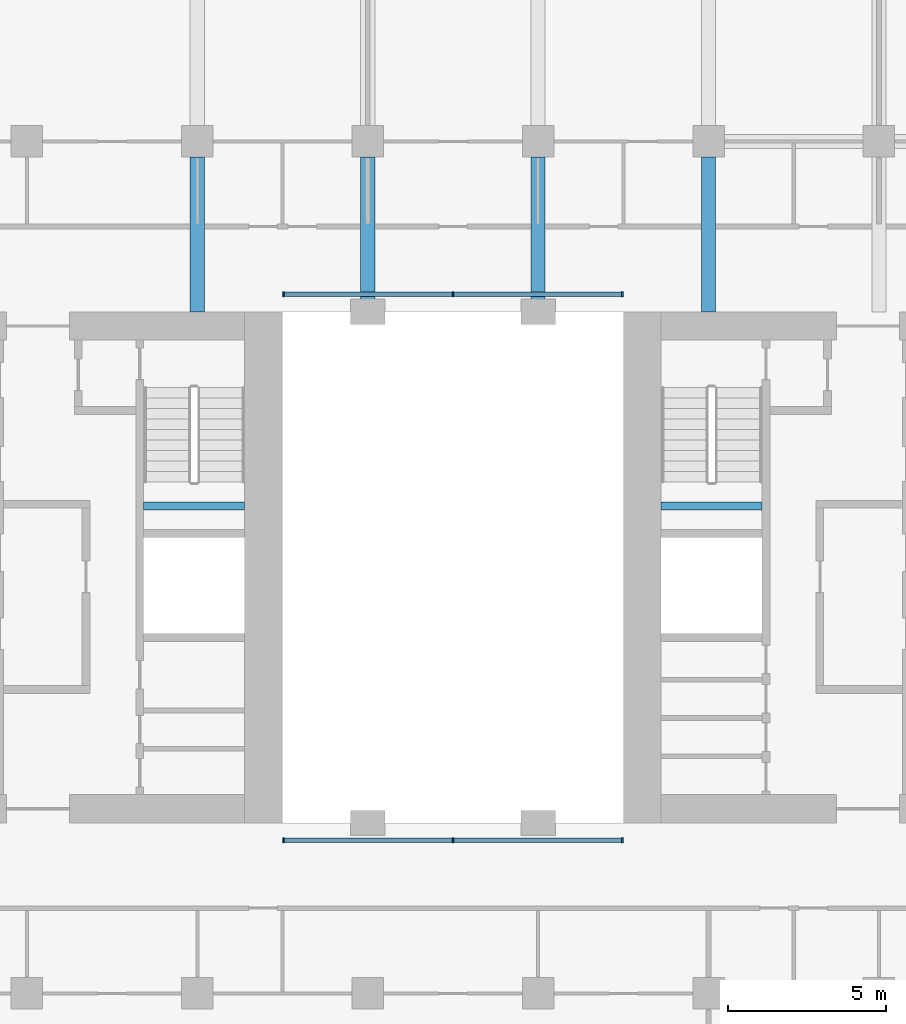
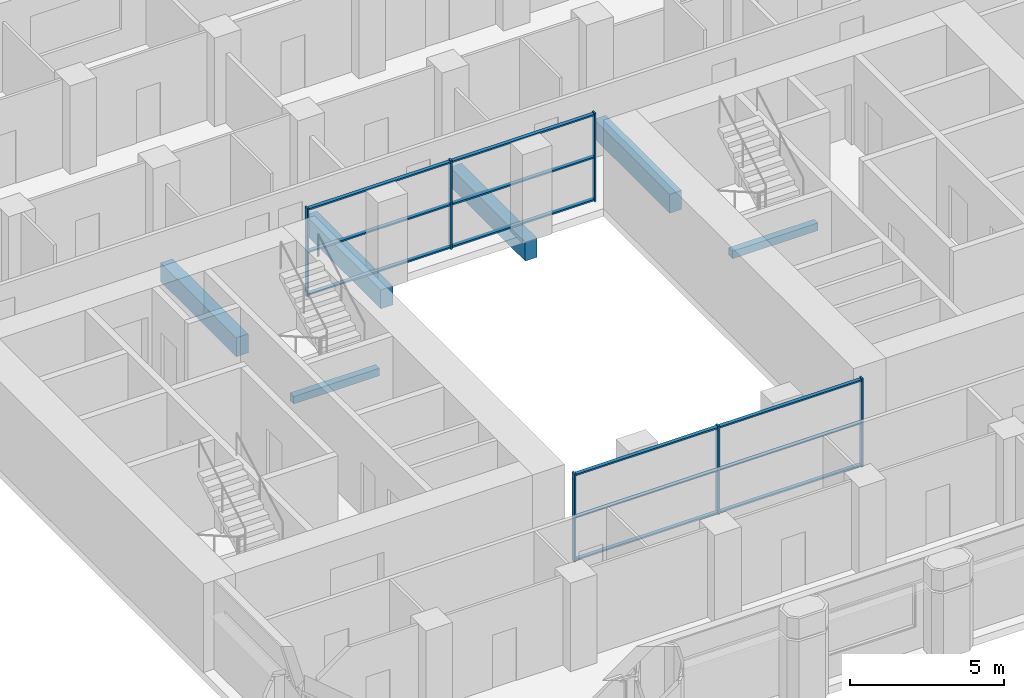
# One storey, part 2 of 11: 18 members, 6 beams, 2 elements without a shape of their own.
"""IFC4 building model written with IfcOpenShell, lengths in metres."""

from ifc_helpers import new_model, si_unit, direction, frame, origin, origin_2d, place, context, subcontext, project, spatial, rectangle, extrude, material, material_profile, profile_set, type_object, element, aggregate, save


model = new_model("IFC4")

# Units and contexts
model_context = context("Model", 3, precision=1e-05, world=origin(), true_north=direction((0.0, 1.0)))
body_context = subcontext(model_context, "Body", "Model", "MODEL_VIEW")
ifc_project = project(units=[si_unit("LENGTHUNIT", "METRE"), si_unit("AREAUNIT", "SQUARE_METRE"), si_unit("VOLUMEUNIT", "CUBIC_METRE"), si_unit("PLANEANGLEUNIT", "RADIAN"), si_unit("MASSUNIT", "GRAM", prefix="KILO")], contexts=[model_context])

# Site, building, storey
site_placement = place(None, origin())
site = spatial("IfcSite", under=ifc_project, at=site_placement, CompositionType="ELEMENT")
building_placement = place(site_placement, origin())
building = spatial("IfcBuilding", under=site, at=building_placement, Name="Tabaq Tower and Sports Hall", CompositionType="ELEMENT")
storey_placement = place(building_placement, frame((0.0, 0.0, 80.199951171875)))
storey = spatial("IfcBuildingStorey", under=building, at=storey_placement, Name="L18", CompositionType="ELEMENT", Elevation=80.199951171875)

# Curtain wall, members
ifc_material_1 = material(Name="Aluminium alloy 6063-T6 framed glazing", Category="aluminium")
curtain_wall_type = type_object("IfcCurtainWallType", Name="CW1 curtain wall", PredefinedType="USERDEFINED", material=ifc_material_1)
curtain_wall_1_placement = place(storey_placement, origin())
curtain_wall_1 = element("IfcCurtainWall", 1, at=curtain_wall_1_placement, inside=storey, type_object=curtain_wall_type, Name="Atrium glazing L18 S", ObjectType="ATRIUM ENCLOSURE", PredefinedType="USERDEFINED")
ifc_material_2 = material(Name="Aluminium alloy 6063-T6", Category="aluminium")
ifc_material_profile_1 = material_profile(ifc_material_2, rectangle(XDim=0.159912109375, YDim=0.06005859375, at=origin_2d()), Name="MULLION 160x60")
ifc_profile_set_1 = profile_set([ifc_material_profile_1], Name="Aluminium alloy 6063-T6")
member_type_1 = type_object("IfcMemberType", Name="CW1 mullion 160x60", PredefinedType="MULLION", material=ifc_profile_set_1)
member_1_placement = place(storey_placement, frame((18.929931640625, 15.64990234375, 0.0), z_axis=(0.0, 0.0, 1.0), x_axis=(0.0, 1.0, 0.0)))
member_1 = element("IfcMember", 2, at=member_1_placement, type_object=member_type_1, Name="CW1 mullion 1", PredefinedType="MULLION", context=body_context, shape_type="SweptSolid", body=[
    extrude(rectangle(XDim=0.159912109375, YDim=0.06005859375, at=origin_2d()), origin(), (0.0, 0.0, 1.0), 3.5),
])
member_2_placement = place(storey_placement, frame((24.300048828125, 15.64990234375, 0.0), z_axis=(0.0, 0.0, 1.0), x_axis=(0.0, 1.0, 0.0)))
member_2 = element("IfcMember", 3, at=member_2_placement, type_object=member_type_1, Name="CW1 mullion 2", PredefinedType="MULLION", context=body_context, shape_type="SweptSolid", body=[
    extrude(rectangle(XDim=0.159912109375, YDim=0.06005859375, at=origin_2d()), origin(), (0.0, 0.0, 1.0), 3.5),
])
member_3_placement = place(storey_placement, frame((29.669921875, 15.64990234375, 0.0), z_axis=(0.0, 0.0, 1.0), x_axis=(0.0, 1.0, 0.0)))
member_3 = element("IfcMember", 4, at=member_3_placement, type_object=member_type_1, Name="CW1 mullion 3", PredefinedType="MULLION", context=body_context, shape_type="SweptSolid", body=[
    extrude(rectangle(XDim=0.159912109375, YDim=0.06005859375, at=origin_2d()), origin(), (0.0, 0.0, 1.0), 3.5),
])

curtain_wall_2_placement = place(storey_placement, origin())
curtain_wall_2 = element("IfcCurtainWall", 5, at=curtain_wall_2_placement, inside=storey, type_object=curtain_wall_type, Name="Atrium glazing L18 N", ObjectType="ATRIUM ENCLOSURE", PredefinedType="USERDEFINED")
member_4_placement = place(storey_placement, frame((18.929931640625, 32.949951171875, 0.0), z_axis=(0.0, 0.0, 1.0), x_axis=(0.0, 1.0, 0.0)))
member_4 = element("IfcMember", 6, at=member_4_placement, type_object=member_type_1, Name="CW1 mullion 1", PredefinedType="MULLION", context=body_context, shape_type="SweptSolid", body=[
    extrude(rectangle(XDim=0.159912109375, YDim=0.06005859375, at=origin_2d()), origin(), (0.0, 0.0, 1.0), 3.5),
])
member_5_placement = place(storey_placement, frame((24.300048828125, 32.949951171875, 0.0), z_axis=(0.0, 0.0, 1.0), x_axis=(0.0, 1.0, 0.0)))
member_5 = element("IfcMember", 7, at=member_5_placement, type_object=member_type_1, Name="CW1 mullion 2", PredefinedType="MULLION", context=body_context, shape_type="SweptSolid", body=[
    extrude(rectangle(XDim=0.159912109375, YDim=0.06005859375, at=origin_2d()), origin(), (0.0, 0.0, 1.0), 3.5),
])
member_6_placement = place(storey_placement, frame((29.669921875, 32.949951171875, 0.0), z_axis=(0.0, 0.0, 1.0), x_axis=(0.0, 1.0, 0.0)))
member_6 = element("IfcMember", 8, at=member_6_placement, type_object=member_type_1, Name="CW1 mullion 3", PredefinedType="MULLION", context=body_context, shape_type="SweptSolid", body=[
    extrude(rectangle(XDim=0.159912109375, YDim=0.06005859375, at=origin_2d()), origin(), (0.0, 0.0, 1.0), 3.5),
])

# Member
ifc_material_3 = material(Name="Aluminium alloy 6063-T6", Category="aluminium")
ifc_material_profile_2 = material_profile(ifc_material_3, rectangle(XDim=0.139892578125, YDim=0.06005859375, at=origin_2d()), Name="TRANSOM 140x60")
ifc_profile_set_2 = profile_set([ifc_material_profile_2], Name="Aluminium alloy 6063-T6")
member_type_2 = type_object("IfcMemberType", Name="CW1 transom 140x60", PredefinedType="USERDEFINED", material=ifc_profile_set_2)
member_7_placement = place(storey_placement, frame((18.9599609375, 15.64990234375, 0.070068359375), z_axis=(1.0, 0.0, 0.0), x_axis=(0.0, 1.0, 0.0)))
member_7 = element("IfcMember", 9, at=member_7_placement, type_object=member_type_2, Name="CW1 transom 1.1", ObjectType="TRANSOM", PredefinedType="USERDEFINED", context=body_context, shape_type="SweptSolid", body=[
    extrude(rectangle(XDim=0.139892578125, YDim=0.06005859375, at=origin_2d()), origin(), (0.0, 0.0, 1.0), 5.31005859375),
])

member_8_placement = place(storey_placement, frame((18.9599609375, 15.64990234375, 1.75), z_axis=(1.0, 0.0, 0.0), x_axis=(0.0, 1.0, 0.0)))
member_8 = element("IfcMember", 10, at=member_8_placement, type_object=member_type_2, Name="CW1 transom 1.2", ObjectType="TRANSOM", PredefinedType="USERDEFINED", context=body_context, shape_type="SweptSolid", body=[
    extrude(rectangle(XDim=0.139892578125, YDim=0.06005859375, at=origin_2d()), origin(), (0.0, 0.0, 1.0), 5.31005859375),
])

member_9_placement = place(storey_placement, frame((18.9599609375, 15.64990234375, 3.429931640625), z_axis=(1.0, 0.0, 0.0), x_axis=(0.0, 1.0, 0.0)))
member_9 = element("IfcMember", 11, at=member_9_placement, type_object=member_type_2, Name="CW1 transom 1.3", ObjectType="TRANSOM", PredefinedType="USERDEFINED", context=body_context, shape_type="SweptSolid", body=[
    extrude(rectangle(XDim=0.139892578125, YDim=0.06005859375, at=origin_2d()), origin(), (0.0, 0.0, 1.0), 5.31005859375),
])

member_10_placement = place(storey_placement, frame((24.330078125, 15.64990234375, 0.070068359375), z_axis=(1.0, 0.0, 0.0), x_axis=(0.0, 1.0, 0.0)))
member_10 = element("IfcMember", 12, at=member_10_placement, type_object=member_type_2, Name="CW1 transom 2.1", ObjectType="TRANSOM", PredefinedType="USERDEFINED", context=body_context, shape_type="SweptSolid", body=[
    extrude(rectangle(XDim=0.139892578125, YDim=0.06005859375, at=origin_2d()), origin(), (0.0, 0.0, 1.0), 5.309814453125),
])

member_11_placement = place(storey_placement, frame((24.330078125, 15.64990234375, 1.75), z_axis=(1.0, 0.0, 0.0), x_axis=(0.0, 1.0, 0.0)))
member_11 = element("IfcMember", 13, at=member_11_placement, type_object=member_type_2, Name="CW1 transom 2.2", ObjectType="TRANSOM", PredefinedType="USERDEFINED", context=body_context, shape_type="SweptSolid", body=[
    extrude(rectangle(XDim=0.139892578125, YDim=0.06005859375, at=origin_2d()), origin(), (0.0, 0.0, 1.0), 5.309814453125),
])

member_12_placement = place(storey_placement, frame((24.330078125, 15.64990234375, 3.429931640625), z_axis=(1.0, 0.0, 0.0), x_axis=(0.0, 1.0, 0.0)))
member_12 = element("IfcMember", 14, at=member_12_placement, type_object=member_type_2, Name="CW1 transom 2.3", ObjectType="TRANSOM", PredefinedType="USERDEFINED", context=body_context, shape_type="SweptSolid", body=[
    extrude(rectangle(XDim=0.139892578125, YDim=0.06005859375, at=origin_2d()), origin(), (0.0, 0.0, 1.0), 5.309814453125),
])

aggregate(curtain_wall_1, [member_1, member_2, member_3, member_7, member_8, member_9, member_10, member_11, member_12])

member_13_placement = place(storey_placement, frame((18.9599609375, 32.949951171875, 0.070068359375), z_axis=(1.0, 0.0, 0.0), x_axis=(0.0, 1.0, 0.0)))
member_13 = element("IfcMember", 15, at=member_13_placement, type_object=member_type_2, Name="CW1 transom 1.1", ObjectType="TRANSOM", PredefinedType="USERDEFINED", context=body_context, shape_type="SweptSolid", body=[
    extrude(rectangle(XDim=0.139892578125, YDim=0.06005859375, at=origin_2d()), origin(), (0.0, 0.0, 1.0), 5.31005859375),
])

member_14_placement = place(storey_placement, frame((18.9599609375, 32.949951171875, 1.75), z_axis=(1.0, 0.0, 0.0), x_axis=(0.0, 1.0, 0.0)))
member_14 = element("IfcMember", 16, at=member_14_placement, type_object=member_type_2, Name="CW1 transom 1.2", ObjectType="TRANSOM", PredefinedType="USERDEFINED", context=body_context, shape_type="SweptSolid", body=[
    extrude(rectangle(XDim=0.139892578125, YDim=0.06005859375, at=origin_2d()), origin(), (0.0, 0.0, 1.0), 5.31005859375),
])

member_15_placement = place(storey_placement, frame((18.9599609375, 32.949951171875, 3.429931640625), z_axis=(1.0, 0.0, 0.0), x_axis=(0.0, 1.0, 0.0)))
member_15 = element("IfcMember", 17, at=member_15_placement, type_object=member_type_2, Name="CW1 transom 1.3", ObjectType="TRANSOM", PredefinedType="USERDEFINED", context=body_context, shape_type="SweptSolid", body=[
    extrude(rectangle(XDim=0.139892578125, YDim=0.06005859375, at=origin_2d()), origin(), (0.0, 0.0, 1.0), 5.31005859375),
])

member_16_placement = place(storey_placement, frame((24.330078125, 32.949951171875, 0.070068359375), z_axis=(1.0, 0.0, 0.0), x_axis=(0.0, 1.0, 0.0)))
member_16 = element("IfcMember", 18, at=member_16_placement, type_object=member_type_2, Name="CW1 transom 2.1", ObjectType="TRANSOM", PredefinedType="USERDEFINED", context=body_context, shape_type="SweptSolid", body=[
    extrude(rectangle(XDim=0.139892578125, YDim=0.06005859375, at=origin_2d()), origin(), (0.0, 0.0, 1.0), 5.309814453125),
])

member_17_placement = place(storey_placement, frame((24.330078125, 32.949951171875, 1.75), z_axis=(1.0, 0.0, 0.0), x_axis=(0.0, 1.0, 0.0)))
member_17 = element("IfcMember", 19, at=member_17_placement, type_object=member_type_2, Name="CW1 transom 2.2", ObjectType="TRANSOM", PredefinedType="USERDEFINED", context=body_context, shape_type="SweptSolid", body=[
    extrude(rectangle(XDim=0.139892578125, YDim=0.06005859375, at=origin_2d()), origin(), (0.0, 0.0, 1.0), 5.309814453125),
])

member_18_placement = place(storey_placement, frame((24.330078125, 32.949951171875, 3.429931640625), z_axis=(1.0, 0.0, 0.0), x_axis=(0.0, 1.0, 0.0)))
member_18 = element("IfcMember", 20, at=member_18_placement, type_object=member_type_2, Name="CW1 transom 2.3", ObjectType="TRANSOM", PredefinedType="USERDEFINED", context=body_context, shape_type="SweptSolid", body=[
    extrude(rectangle(XDim=0.139892578125, YDim=0.06005859375, at=origin_2d()), origin(), (0.0, 0.0, 1.0), 5.309814453125),
])

aggregate(curtain_wall_2, [member_4, member_5, member_6, member_13, member_14, member_15, member_16, member_17, member_18])

# Beams
ifc_material_4 = material(Name="Concrete C40/50", Category="concrete")
ifc_material_profile_3 = material_profile(ifc_material_4, rectangle(XDim=0.449951171875, YDim=0.75, at=origin_2d()), Name="CB 450x750")
ifc_profile_set_3 = profile_set([ifc_material_profile_3], Name="Concrete C40/50")
beam_type_1 = type_object("IfcBeamType", Name="PT CANTILEVER BEAM CB 450x750 C40/50", PredefinedType="BEAM", material=ifc_profile_set_3)
for number, where, z_axis, x_axis, name in (
    (21, (16.199951171875, 37.300048828125, -0.675048828125), (0.0, -1.0, 0.0), (1.0, 0.0, 0.0), "Cantilever Beam L18 N3 span 3"),
    (22, (21.60009765625, 37.300048828125, -0.675048828125), (0.0, -1.0, 0.0), (1.0, 0.0, 0.0), "Cantilever Beam L18 N4 span 3"),
    (23, (27.0, 37.300048828125, -0.675048828125), (0.0, -1.0, 0.0), (1.0, 0.0, 0.0), "Cantilever Beam L18 N5 span 3"),
    (24, (32.39990234375, 37.300048828125, -0.675048828125), (0.0, -1.0, 0.0), (1.0, 0.0, 0.0), "Cantilever Beam L18 N6 span 3"),
):
    element("IfcBeam", number, at=place(storey_placement, frame(where, z_axis=z_axis, x_axis=x_axis)), inside=storey, type_object=beam_type_1, Name=name, PredefinedType="BEAM", context=body_context, shape_type="SweptSolid", body=[
        extrude(rectangle(XDim=0.449951171875, YDim=0.75, at=origin_2d()), origin(), (0.0, 0.0, 1.0), 4.900146484375),
    ])
ifc_material_5 = material(Name="Concrete C40/50", Category="concrete")
ifc_material_profile_4 = material_profile(ifc_material_5, rectangle(XDim=0.25, YDim=0.300048828125, at=origin_2d()), Name="RC 250x300")
ifc_profile_set_4 = profile_set([ifc_material_profile_4], Name="Concrete C40/50")
beam_type_2 = type_object("IfcBeamType", Name="Stair landing beam 250x300", PredefinedType="BEAM", material=ifc_profile_set_4)
beam_1_placement = place(storey_placement, frame((14.5, 26.25, 1.550048828125), z_axis=(1.0, 0.0, 0.0), x_axis=(0.0, 1.0, 0.0)))
element("IfcBeam", 25, at=beam_1_placement, inside=storey, type_object=beam_type_2, Name="L18 ST2 landing beam 1", PredefinedType="BEAM", context=body_context, shape_type="SweptSolid", body=[
    extrude(rectangle(XDim=0.25, YDim=0.300048828125, at=origin_2d()), origin(), (0.0, 0.0, 1.0), 3.199951171875),
])
beam_2_placement = place(storey_placement, frame((30.89990234375, 26.25, 1.550048828125), z_axis=(1.0, 0.0, 0.0), x_axis=(0.0, 1.0, 0.0)))
element("IfcBeam", 26, at=beam_2_placement, inside=storey, type_object=beam_type_2, Name="L18 ST4 landing beam 1", PredefinedType="BEAM", context=body_context, shape_type="SweptSolid", body=[
    extrude(rectangle(XDim=0.25, YDim=0.300048828125, at=origin_2d()), origin(), (0.0, 0.0, 1.0), 3.2001953125),
])

save(model, "model.ifc")
